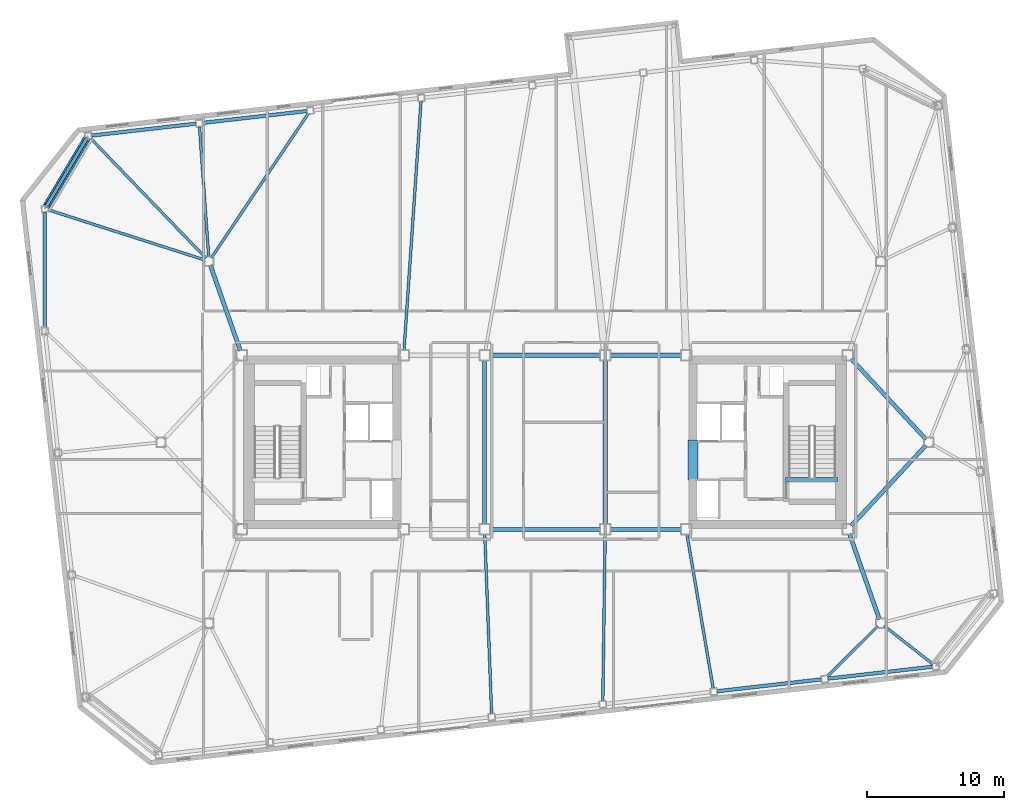
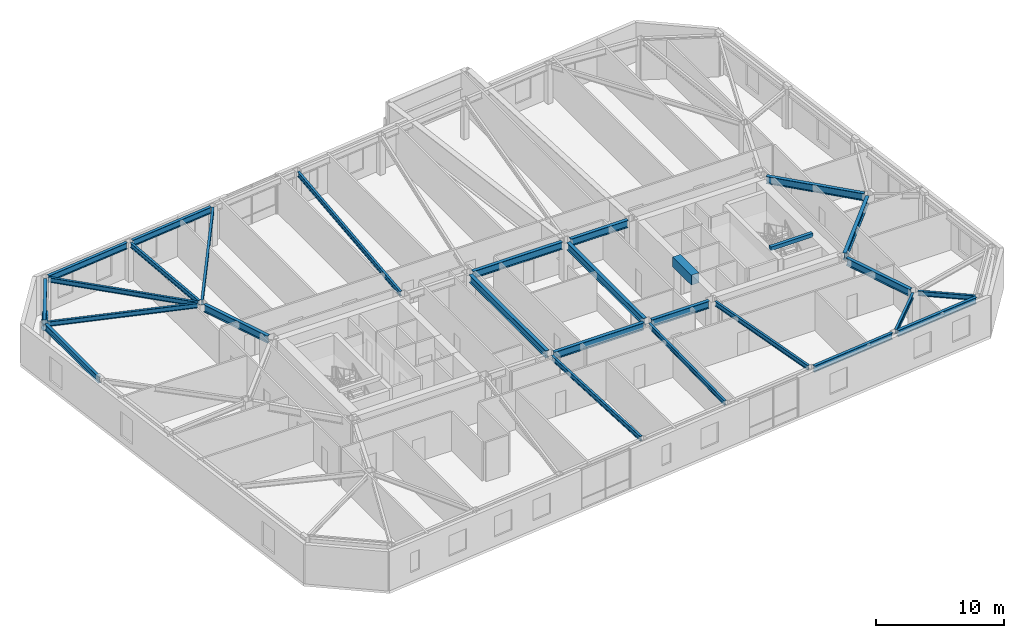
# One storey, part 9 of 19: 28 beams, 1 member.
"""IFC4 building model written with IfcOpenShell, lengths in metres."""

from ifc_helpers import new_model, si_unit, direction, frame, origin, origin_2d, place, context, subcontext, project, spatial, rectangle, hollow_circle, i_section, extrude, material, material_profile, profile_set, type_object, element, save


model = new_model("IFC4")

# Units and contexts
model_context = context("Model", 3, precision=1e-05, world=origin(), true_north=direction((0.0, 1.0)))
body_context = subcontext(model_context, "Body", "Model", "MODEL_VIEW")
ifc_project = project(units=[si_unit("LENGTHUNIT", "METRE"), si_unit("AREAUNIT", "SQUARE_METRE"), si_unit("VOLUMEUNIT", "CUBIC_METRE"), si_unit("PLANEANGLEUNIT", "RADIAN"), si_unit("MASSUNIT", "GRAM", prefix="KILO")], contexts=[model_context])

# Site, building, storey
site_placement = place(None, origin())
site = spatial("IfcSite", under=ifc_project, at=site_placement, CompositionType="ELEMENT")
building_placement = place(site_placement, origin())
building = spatial("IfcBuilding", under=site, at=building_placement, Name="Tavrogorsk Clinical Tower", CompositionType="ELEMENT")
storey_placement = place(building_placement, frame((0.0, 0.0, 243.0)))
storey = spatial("IfcBuildingStorey", under=building, at=storey_placement, Name="L56", CompositionType="ELEMENT", Elevation=243.0)

# Beam
ifc_material_1 = material(Name="Concrete B80", Category="concrete")
ifc_material_profile_1 = material_profile(ifc_material_1, rectangle(XDim=0.699951171875, YDim=0.949951171875, at=origin_2d()), Name="RC-CB-700x950")
ifc_profile_set_1 = profile_set([ifc_material_profile_1], Name="Concrete B80")
beam_type_1 = type_object("IfcBeamType", Name="CouplingBeam_RC700x950", PredefinedType="LINTEL", material=ifc_profile_set_1)
beam_1_placement = place(storey_placement, frame((10.800048828125, -2.75, 3.264892578125), z_axis=(0.0, 1.0, 0.0), x_axis=(-1.0, 0.0, 0.0)))
element("IfcBeam", 1, at=beam_1_placement, inside=storey, type_object=beam_type_1, Name="L56 Core East Coupling Beam", PredefinedType="LINTEL", context=body_context, shape_type="SweptSolid", body=[
    extrude(rectangle(XDim=0.699951171875, YDim=0.949951171875, at=origin_2d()), origin(), (0.0, 0.0, 1.0), 2.89990234375),
])

# Member
ifc_material_2 = material(Name="Structural steel S440", Category="steel")
ifc_material_profile_2 = material_profile(ifc_material_2, hollow_circle(Radius=0.25390625, WallThickness=0.02001953125, at=origin_2d()), Name="CHS-508x20")
ifc_profile_set_2 = profile_set([ifc_material_profile_2], Name="Structural steel S440")
member_type = type_object("IfcMemberType", Name="ExoBrace_CHS508", PredefinedType="BRACE", material=ifc_profile_set_2)
member_placement = place(storey_placement, frame((-33.428955078125, 22.143310546875, 0.40625), z_axis=(-0.466115044739, -0.783286774864, 0.411337566228), x_axis=(0.859354157364, -0.511380907173, 0.0)))
element("IfcMember", 2, at=member_placement, inside=storey, type_object=member_type, Name="L56 Corner Exoskeleton Brace N8-W1", PredefinedType="BRACE", context=body_context, shape_type="SweptSolid", body=[
    extrude(hollow_circle(Radius=0.25390625, WallThickness=0.02001953125, at=origin_2d()), origin(), (0.0, 0.0, 1.0), 6.266357421875),
])

# Beams
ifc_material_3 = material(Name="Structural steel S355", Category="steel")
ifc_material_profile_3 = material_profile(ifc_material_3, i_section(OverallWidth=0.199951171875, OverallDepth=0.449951171875, WebThickness=0.011474609375, FlangeThickness=0.01806640625, at=origin_2d()), Name="B-450x200x11.5x18")
ifc_profile_set_3 = profile_set([ifc_material_profile_3], Name="Structural steel S355")
beam_type_2 = type_object("IfcBeamType", Name="FloorBeam_B450", PredefinedType="BEAM", material=ifc_profile_set_3)
beam_2_placement = place(storey_placement, frame((-4.38623046875, -6.709716796875, 3.514892578125), z_axis=(0.038253158264, -0.999268080088, 0.0), x_axis=(0.999268080088, 0.038253158264, 0.0)))
element("IfcBeam", 3, at=beam_2_placement, inside=storey, type_object=beam_type_2, Name="L56 Radial Floor Beam S4", PredefinedType="BEAM", context=body_context, shape_type="SweptSolid", body=[
    extrude(i_section(OverallWidth=0.199951171875, OverallDepth=0.449951171875, WebThickness=0.011474609375, FlangeThickness=0.01806640625, at=origin_2d()), origin(), (0.0, 0.0, 1.0), 13.0771484375),
])
beam_3_placement = place(storey_placement, frame((4.39501953125, -6.7099609375, 3.514892578125), z_axis=(-0.014110566079, -0.999900441006, 0.0), x_axis=(0.999900441006, -0.014110566079, 0.0)))
element("IfcBeam", 4, at=beam_3_placement, inside=storey, type_object=beam_type_2, Name="L56 Radial Floor Beam S5", PredefinedType="BEAM", context=body_context, shape_type="SweptSolid", body=[
    extrude(i_section(OverallWidth=0.199951171875, OverallDepth=0.449951171875, WebThickness=0.011474609375, FlangeThickness=0.01806640625, at=origin_2d()), origin(), (0.0, 0.0, 1.0), 12.14599609375),
])
beam_4_placement = place(storey_placement, frame((10.3603515625, -6.704833984375, 3.514892578125), z_axis=(0.167876447446, -0.98580804338, 0.0), x_axis=(0.98580804338, 0.167876447446, 0.0)))
element("IfcBeam", 5, at=beam_4_placement, inside=storey, type_object=beam_type_2, Name="L56 Radial Floor Beam S6", PredefinedType="BEAM", context=body_context, shape_type="SweptSolid", body=[
    extrude(i_section(OverallWidth=0.199951171875, OverallDepth=0.449951171875, WebThickness=0.011474609375, FlangeThickness=0.01806640625, at=origin_2d()), origin(), (0.0, 0.0, 1.0), 11.392822265625),
])
beam_5_placement = place(storey_placement, frame((24.2802734375, -13.418701171875, 3.514892578125), z_axis=(-0.708842234901, -0.705367057652, 0.0), x_axis=(0.705367057652, -0.708842234901, 0.0)))
element("IfcBeam", 6, at=beam_5_placement, inside=storey, type_object=beam_type_2, Name="L56 Radial Floor Beam S7", PredefinedType="BEAM", context=body_context, shape_type="SweptSolid", body=[
    extrude(i_section(OverallWidth=0.199951171875, OverallDepth=0.449951171875, WebThickness=0.011474609375, FlangeThickness=0.01806640625, at=origin_2d()), origin(), (0.0, 0.0, 1.0), 5.19873046875),
])
beam_6_placement = place(storey_placement, frame((24.743896484375, -13.391357421875, 3.514892578125), z_axis=(0.786731711527, -0.617295078611, 0.0), x_axis=(0.617295078611, 0.786731711527, 0.0)))
element("IfcBeam", 7, at=beam_6_placement, inside=storey, type_object=beam_type_2, Name="L56 Radial Floor Beam S8", PredefinedType="BEAM", context=body_context, shape_type="SweptSolid", body=[
    extrude(i_section(OverallWidth=0.199951171875, OverallDepth=0.449951171875, WebThickness=0.011474609375, FlangeThickness=0.01806640625, at=origin_2d()), origin(), (0.0, 0.0, 1.0), 4.52734375),
])
beam_7_placement = place(storey_placement, frame((-10.275390625, 6.709228515625, 3.514892578125), z_axis=(0.068054861188, 0.9976815804, 0.0), x_axis=(-0.9976815804, 0.068054861188, 0.0)))
element("IfcBeam", 8, at=beam_7_placement, inside=storey, type_object=beam_type_2, Name="L56 Radial Floor Beam N5", PredefinedType="BEAM", context=body_context, shape_type="SweptSolid", body=[
    extrude(i_section(OverallWidth=0.199951171875, OverallDepth=0.449951171875, WebThickness=0.011474609375, FlangeThickness=0.01806640625, at=origin_2d()), origin(), (0.0, 0.0, 1.0), 18.188232421875),
])
beam_8_placement = place(storey_placement, frame((-24.3271484375, 13.457275390625, 3.514892578125), z_axis=(0.557666552953, 0.830065067159, 0.0), x_axis=(-0.830065067159, 0.557666552953, 0.0)))
element("IfcBeam", 9, at=beam_8_placement, inside=storey, type_object=beam_type_2, Name="L56 Radial Floor Beam N6", PredefinedType="BEAM", context=body_context, shape_type="SweptSolid", body=[
    extrude(i_section(OverallWidth=0.199951171875, OverallDepth=0.449951171875, WebThickness=0.011474609375, FlangeThickness=0.01806640625, at=origin_2d()), origin(), (0.0, 0.0, 1.0), 12.67236328125),
])
beam_9_placement = place(storey_placement, frame((-24.52197265625, 13.50927734375, 3.514892578125), z_axis=(-0.070563956086, 0.997507257167, 0.0), x_axis=(-0.997507257167, -0.070563956086, 0.0)))
element("IfcBeam", 10, at=beam_9_placement, inside=storey, type_object=beam_type_2, Name="L56 Radial Floor Beam N7", PredefinedType="BEAM", context=body_context, shape_type="SweptSolid", body=[
    extrude(i_section(OverallWidth=0.199951171875, OverallDepth=0.449951171875, WebThickness=0.011474609375, FlangeThickness=0.01806640625, at=origin_2d()), origin(), (0.0, 0.0, 1.0), 9.52490234375),
])
beam_10_placement = place(storey_placement, frame((-24.715087890625, 13.42333984375, 3.514892578125), z_axis=(-0.69371826835, 0.720246460704, 0.0), x_axis=(-0.720246460704, -0.69371826835, 0.0)))
element("IfcBeam", 11, at=beam_10_placement, inside=storey, type_object=beam_type_2, Name="L56 Radial Floor Beam N8", PredefinedType="BEAM", context=body_context, shape_type="SweptSolid", body=[
    extrude(i_section(OverallWidth=0.199951171875, OverallDepth=0.449951171875, WebThickness=0.011474609375, FlangeThickness=0.01806640625, at=origin_2d()), origin(), (0.0, 0.0, 1.0), 12.129638671875),
])
beam_11_placement = place(storey_placement, frame((-24.795166015625, 13.29443359375, 3.514892578125), z_axis=(-0.952367912824, 0.304951403709, 0.0), x_axis=(-0.304951403709, -0.952367912824, 0.0)))
element("IfcBeam", 12, at=beam_11_placement, inside=storey, type_object=beam_type_2, Name="L56 Radial Floor Beam W1", PredefinedType="BEAM", context=body_context, shape_type="SweptSolid", body=[
    extrude(i_section(OverallWidth=0.199951171875, OverallDepth=0.449951171875, WebThickness=0.011474609375, FlangeThickness=0.01806640625, at=origin_2d()), origin(), (0.0, 0.0, 1.0), 12.000732421875),
])
ifc_material_4 = material(Name="Structural steel S390", Category="steel")
ifc_material_profile_4 = material_profile(ifc_material_4, i_section(OverallWidth=0.300048828125, OverallDepth=0.699951171875, WebThickness=0.01708984375, FlangeThickness=0.028076171875, at=origin_2d()), Name="B-700x300x17x28")
ifc_profile_set_4 = profile_set([ifc_material_profile_4], Name="Structural steel S390")
beam_type_3 = type_object("IfcBeamType", Name="PrimaryGirder_B700", PredefinedType="USERDEFINED", material=ifc_profile_set_4)
for number, where, z_axis, x_axis, name in (
    (13, (-4.0400390625, -6.35009765625, 3.389892578125), (1.0, 0.0, 0.0), (0.0, 1.0, 0.0), "L56 Primary Spine Girder MG-03"),
    (14, (-4.0400390625, 6.35009765625, 3.389892578125), (1.0, 0.0, 0.0), (0.0, 1.0, 0.0), "L56 Primary Spine Girder MG-04"),
):
    element("IfcBeam", number, at=place(storey_placement, frame(where, z_axis=z_axis, x_axis=x_axis)), inside=storey, type_object=beam_type_3, Name=name, ObjectType="GIRDER", PredefinedType="USERDEFINED", context=body_context, shape_type="SweptSolid", body=[
        extrude(i_section(OverallWidth=0.300048828125, OverallDepth=0.699951171875, WebThickness=0.01708984375, FlangeThickness=0.028076171875, at=origin_2d()), origin(), (0.0, 0.0, 1.0), 8.080078125),
    ])
for number, where, z_axis, x_axis, name in (
    (15, (4.760009765625, -6.35009765625, 3.389892578125), (1.0, 0.0, 0.0), (0.0, 1.0, 0.0), "L56 Primary Spine Girder MG-05"),
    (16, (4.760009765625, 6.35009765625, 3.389892578125), (1.0, 0.0, 0.0), (0.0, 1.0, 0.0), "L56 Primary Spine Girder MG-06"),
):
    element("IfcBeam", number, at=place(storey_placement, frame(where, z_axis=z_axis, x_axis=x_axis)), inside=storey, type_object=beam_type_3, Name=name, ObjectType="GIRDER", PredefinedType="USERDEFINED", context=body_context, shape_type="SweptSolid", body=[
        extrude(i_section(OverallWidth=0.300048828125, OverallDepth=0.699951171875, WebThickness=0.01708984375, FlangeThickness=0.028076171875, at=origin_2d()), origin(), (0.0, 0.0, 1.0), 5.179931640625),
    ])
for number, where, z_axis, x_axis, name in (
    (17, (-4.39990234375, -5.989990234375, 3.389892578125), (0.0, 1.0, 0.0), (-1.0, 0.0, 0.0), "L56 Primary Spine Girder MG-07"),
    (18, (4.39990234375, -5.989990234375, 3.389892578125), (0.0, 1.0, 0.0), (-1.0, 0.0, 0.0), "L56 Primary Spine Girder MG-08"),
):
    element("IfcBeam", number, at=place(storey_placement, frame(where, z_axis=z_axis, x_axis=x_axis)), inside=storey, type_object=beam_type_3, Name=name, ObjectType="GIRDER", PredefinedType="USERDEFINED", context=body_context, shape_type="SweptSolid", body=[
        extrude(i_section(OverallWidth=0.300048828125, OverallDepth=0.699951171875, WebThickness=0.01708984375, FlangeThickness=0.028076171875, at=origin_2d()), origin(), (0.0, 0.0, 1.0), 11.97998046875),
    ])
for number, where, z_axis, x_axis, name in (
    (19, (24.3974609375, -12.907470703125, 3.389892578125), (-0.330654121425, 0.943752007672, 0.0), (-0.943752007672, -0.330654121425, 0.0), "L56 Spine Link Girder OPG-2"),
    (20, (-24.3974609375, 12.907470703125, 3.389892578125), (0.330654121425, -0.943752007672, 0.0), (0.943752007672, 0.330654121425, 0.0), "L56 Spine Link Girder OPG-3"),
):
    element("IfcBeam", number, at=place(storey_placement, frame(where, z_axis=z_axis, x_axis=x_axis)), inside=storey, type_object=beam_type_3, Name=name, ObjectType="GIRDER", PredefinedType="USERDEFINED", context=body_context, shape_type="SweptSolid", body=[
        extrude(i_section(OverallWidth=0.300048828125, OverallDepth=0.699951171875, WebThickness=0.01708984375, FlangeThickness=0.028076171875, at=origin_2d()), origin(), (0.0, 0.0, 1.0), 6.58837890625),
    ])
for number, where, z_axis, x_axis, name in (
    (21, (27.7890625, -0.22705078125, 3.389892578125), (-0.680684060959, -0.732577101168, 0.0), (0.732577101168, -0.680684060959, 0.0), "L56 Spine Link Girder OPG-7"),
    (22, (27.7890625, 0.22705078125, 3.389892578125), (-0.680684060959, 0.732577101168, 0.0), (-0.732577101168, -0.680684060959, 0.0), "L56 Spine Link Girder OPG-8"),
):
    element("IfcBeam", number, at=place(storey_placement, frame(where, z_axis=z_axis, x_axis=x_axis)), inside=storey, type_object=beam_type_3, Name=name, ObjectType="GIRDER", PredefinedType="USERDEFINED", context=body_context, shape_type="SweptSolid", body=[
        extrude(i_section(OverallWidth=0.300048828125, OverallDepth=0.699951171875, WebThickness=0.01708984375, FlangeThickness=0.028076171875, at=origin_2d()), origin(), (0.0, 0.0, 1.0), 7.998046875),
    ])
ifc_material_5 = material(Name="Structural steel S390", Category="steel")
ifc_material_profile_5 = material_profile(ifc_material_5, i_section(OverallWidth=0.260009765625, OverallDepth=0.60009765625, WebThickness=0.014892578125, FlangeThickness=0.02392578125, at=origin_2d()), Name="B-600x260x15x24")
ifc_profile_set_5 = profile_set([ifc_material_profile_5], Name="Structural steel S390")
beam_type_4 = type_object("IfcBeamType", Name="SpandrelBeam_B600", PredefinedType="SPANDREL", material=ifc_profile_set_5)
beam_12_placement = place(storey_placement, frame((12.57275390625, -18.1611328125, 3.43994140625), z_axis=(0.993571689921, 0.113204668576, 0.0), x_axis=(-0.113204668576, 0.993571689921, 0.0)))
element("IfcBeam", 23, at=beam_12_placement, inside=storey, type_object=beam_type_4, Name="L56 Perimeter Spandrel S6-S7", PredefinedType="SPANDREL", context=body_context, shape_type="SweptSolid", body=[
    extrude(i_section(OverallWidth=0.260009765625, OverallDepth=0.60009765625, WebThickness=0.014892578125, FlangeThickness=0.02392578125, at=origin_2d()), origin(), (0.0, 0.0, 1.0), 7.63232421875),
])
for number, where, z_axis, x_axis, name in (
    (24, (20.668701171875, -17.238525390625, 3.43994140625), (0.993572099834, 0.113201070804, 0.0), (-0.113201070804, 0.993572099834, 0.0), "L56 Perimeter Spandrel S7-S8"),
    (25, (-17.37255859375, 24.1611328125, 3.43994140625), (-0.993572099834, -0.113201070804, 0.0), (0.113201070804, -0.993572099834, 0.0), "L56 Perimeter Spandrel N6-N7"),
    (26, (-25.46875, 23.238525390625, 3.43994140625), (-0.993572099834, -0.113201070804, 0.0), (0.113201070804, -0.993572099834, 0.0), "L56 Perimeter Spandrel N7-N8"),
):
    element("IfcBeam", number, at=place(storey_placement, frame(where, z_axis=z_axis, x_axis=x_axis)), inside=storey, type_object=beam_type_4, Name=name, PredefinedType="SPANDREL", context=body_context, shape_type="SweptSolid", body=[
        extrude(i_section(OverallWidth=0.260009765625, OverallDepth=0.60009765625, WebThickness=0.014892578125, FlangeThickness=0.02392578125, at=origin_2d()), origin(), (0.0, 0.0, 1.0), 7.632568359375),
    ])
beam_13_placement = place(storey_placement, frame((-33.4404296875, 22.123779296875, 3.43994140625), z_axis=(-0.51140659222, -0.859338872293, 0.0), x_axis=(0.859338872293, -0.51140659222, 0.0)))
element("IfcBeam", 27, at=beam_13_placement, inside=storey, type_object=beam_type_4, Name="L56 Perimeter Spandrel N8-W1", PredefinedType="SPANDREL", context=body_context, shape_type="SweptSolid", body=[
    extrude(i_section(OverallWidth=0.260009765625, OverallDepth=0.60009765625, WebThickness=0.014892578125, FlangeThickness=0.02392578125, at=origin_2d()), origin(), (0.0, 0.0, 1.0), 5.666259765625),
])
beam_14_placement = place(storey_placement, frame((-36.469970703125, 16.77490234375, 3.43994140625), z_axis=(0.0, -1.0, 0.0), x_axis=(1.0, 0.0, 0.0)))
element("IfcBeam", 28, at=beam_14_placement, inside=storey, type_object=beam_type_4, Name="L56 Perimeter Spandrel W1-W2", PredefinedType="SPANDREL", context=body_context, shape_type="SweptSolid", body=[
    extrude(i_section(OverallWidth=0.260009765625, OverallDepth=0.60009765625, WebThickness=0.014892578125, FlangeThickness=0.02392578125, at=origin_2d()), origin(), (0.0, 0.0, 1.0), 8.386474609375),
])
ifc_material_6 = material(Name="Concrete B60", Category="concrete")
ifc_material_profile_6 = material_profile(ifc_material_6, rectangle(XDim=0.300048828125, YDim=0.35009765625, at=origin_2d()), Name="RC-SHB-300x350")
ifc_profile_set_6 = profile_set([ifc_material_profile_6], Name="Concrete B60")
beam_type_5 = type_object("IfcBeamType", Name="StairHeaderBeam_RC300x350", PredefinedType="BEAM", material=ifc_profile_set_6)
beam_15_placement = place(storey_placement, frame((17.550048828125, -2.719970703125, 3.824951171875), z_axis=(1.0, 0.0, 0.0), x_axis=(0.0, 1.0, 0.0)))
element("IfcBeam", 29, at=beam_15_placement, inside=storey, type_object=beam_type_5, Name="L57 ST-E Landing Header Beam", PredefinedType="BEAM", context=body_context, shape_type="SweptSolid", body=[
    extrude(rectangle(XDim=0.300048828125, YDim=0.35009765625, at=origin_2d()), origin(), (0.0, 0.0, 1.0), 3.800048828125),
])

save(model, "model.ifc")
